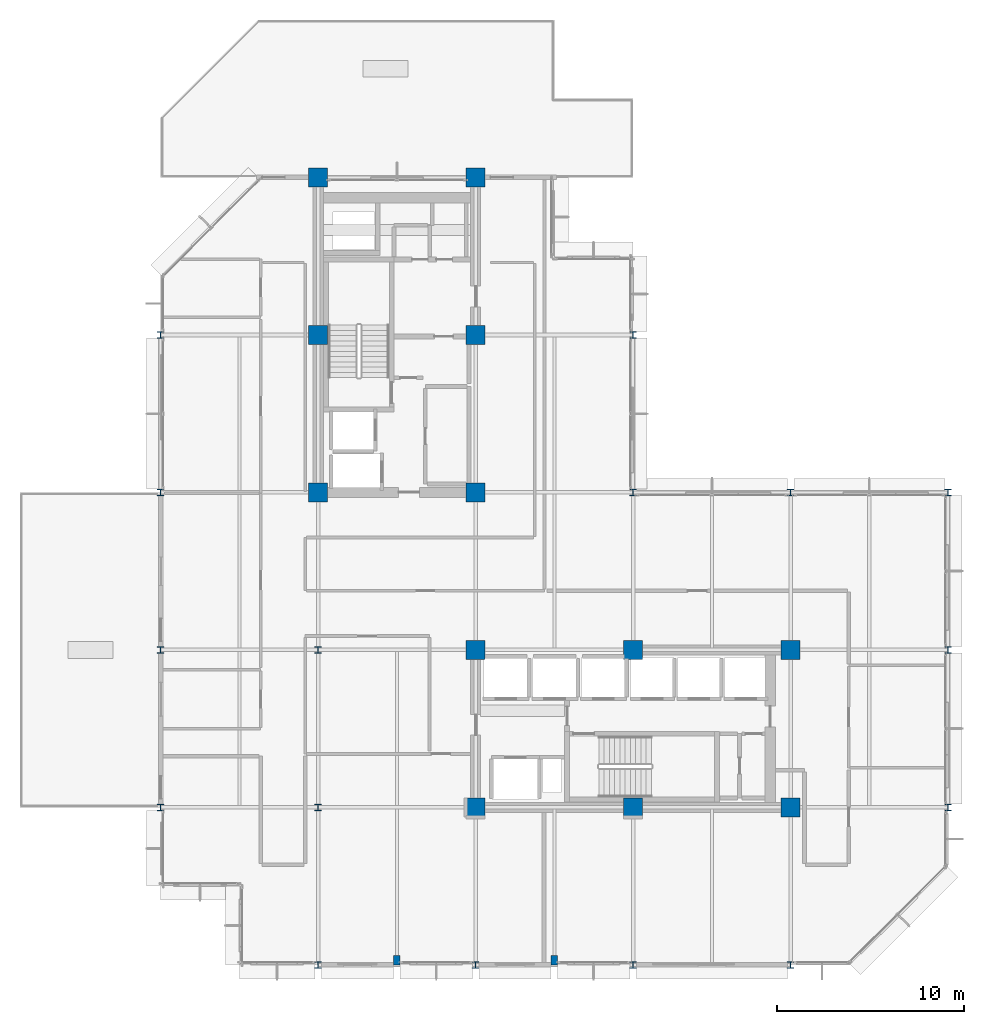
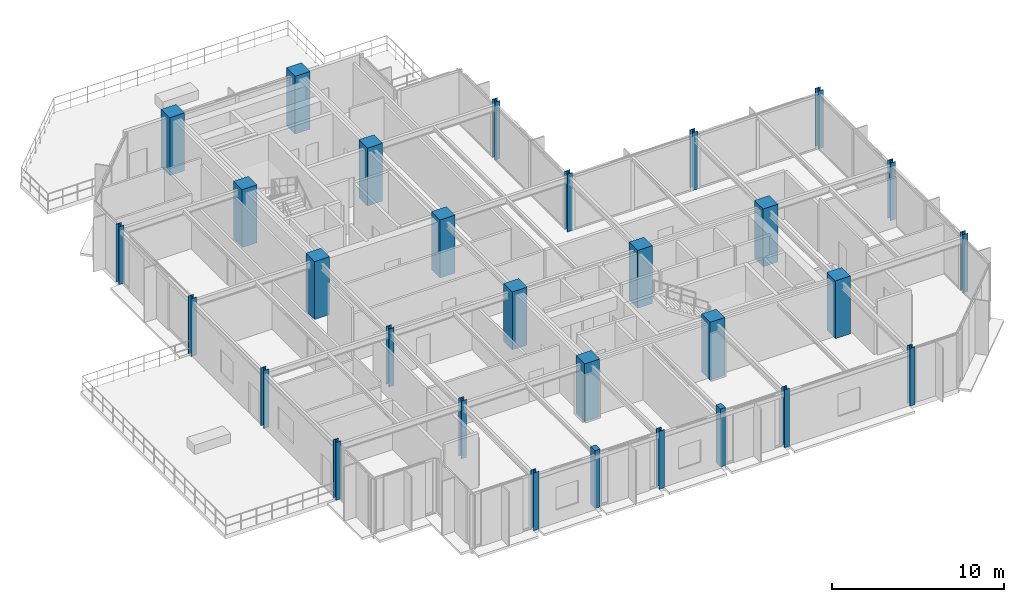
# One storey, part 1 of 21: 30 columns.
"""IFC4 building model written with IfcOpenShell, lengths in metres."""

from ifc_helpers import new_model, si_unit, direction, frame, origin, origin_2d, place, context, subcontext, project, spatial, rectangle, i_section, extrude, material, material_profile, profile_set, type_object, element, save


model = new_model("IFC4")

# Units and contexts
model_context = context("Model", 3, precision=1e-05, world=origin(), true_north=direction((0.0, 1.0)))
body_context = subcontext(model_context, "Body", "Model", "MODEL_VIEW")
ifc_project = project(units=[si_unit("LENGTHUNIT", "METRE"), si_unit("AREAUNIT", "SQUARE_METRE"), si_unit("VOLUMEUNIT", "CUBIC_METRE"), si_unit("PLANEANGLEUNIT", "RADIAN"), si_unit("MASSUNIT", "GRAM", prefix="KILO")], contexts=[model_context])

# Site, building, storey
site_placement = place(None, origin())
site = spatial("IfcSite", under=ifc_project, at=site_placement, CompositionType="ELEMENT")
building_placement = place(site_placement, origin())
building = spatial("IfcBuilding", under=site, at=building_placement, Name="Nerrivon Quay Data Exchange", CompositionType="ELEMENT")
storey_placement = place(building_placement, frame((0.0, 0.0, 220.60009765625)))
storey = spatial("IfcBuildingStorey", under=building, at=storey_placement, Name="L52", CompositionType="ELEMENT", Elevation=220.60009765625)

# Columns
ifc_material_1 = material(Name="Concrete S65 (65 MPa)", Category="concrete")
ifc_material_profile_1 = material_profile(ifc_material_1, rectangle(XDim=1.0, YDim=1.0, at=origin_2d()), Name="RC-COL-1000x1000")
ifc_profile_set_1 = profile_set([ifc_material_profile_1], Name="Concrete S65 (65 MPa)")
column_type_1 = type_object("IfcColumnType", Name="COL-C4-1000", PredefinedType="COLUMN", material=ifc_profile_set_1)
for number, where, z_axis, x_axis, name in (
    (1, (8.39990234375, 25.199951171875, 0.0), (0.0, 0.0, 1.0), (1.0, 0.0, 0.0), "L52 Column (8.4,25.2)"),
    (2, (8.39990234375, 33.60009765625, 0.0), (0.0, 0.0, 1.0), (1.0, 0.0, 0.0), "L52 Column (8.4,33.6)"),
    (3, (8.39990234375, 42.0, 0.0), (0.0, 0.0, 1.0), (1.0, 0.0, 0.0), "L52 Column (8.4,42.0)"),
    (4, (16.800048828125, 8.39990234375, 0.0), (0.0, 0.0, 1.0), (1.0, 0.0, 0.0), "L52 Column (16.8,8.4)"),
    (5, (16.800048828125, 16.800048828125, 0.0), (0.0, 0.0, 1.0), (1.0, 0.0, 0.0), "L52 Column (16.8,16.8)"),
    (6, (16.800048828125, 25.199951171875, 0.0), (0.0, 0.0, 1.0), (1.0, 0.0, 0.0), "L52 Column (16.8,25.2)"),
    (7, (16.800048828125, 33.60009765625, 0.0), (0.0, 0.0, 1.0), (1.0, 0.0, 0.0), "L52 Column (16.8,33.6)"),
    (8, (16.800048828125, 42.0, 0.0), (0.0, 0.0, 1.0), (1.0, 0.0, 0.0), "L52 Column (16.8,42.0)"),
    (9, (25.199951171875, 8.39990234375, 0.0), (0.0, 0.0, 1.0), (1.0, 0.0, 0.0), "L52 Column (25.2,8.4)"),
    (10, (25.199951171875, 16.800048828125, 0.0), (0.0, 0.0, 1.0), (1.0, 0.0, 0.0), "L52 Column (25.2,16.8)"),
    (11, (33.60009765625, 8.39990234375, 0.0), (0.0, 0.0, 1.0), (1.0, 0.0, 0.0), "L52 Column (33.6,8.4)"),
    (12, (33.60009765625, 16.800048828125, 0.0), (0.0, 0.0, 1.0), (1.0, 0.0, 0.0), "L52 Column (33.6,16.8)"),
):
    element("IfcColumn", number, at=place(storey_placement, frame(where, z_axis=z_axis, x_axis=x_axis)), inside=storey, type_object=column_type_1, Name=name, PredefinedType="COLUMN", context=body_context, shape_type="SweptSolid", body=[
        extrude(rectangle(XDim=1.0, YDim=1.0, at=origin_2d()), origin(), (0.0, 0.0, 1.0), 4.099853515625),
    ])
ifc_material_2 = material(Name="Steel Grade 350", Category="steel")
ifc_material_profile_2 = material_profile(ifc_material_2, i_section(OverallWidth=0.35009765625, OverallDepth=0.35009765625, WebThickness=0.02001953125, FlangeThickness=0.031982421875, at=origin_2d()), Name="350WC230")
ifc_profile_set_2 = profile_set([ifc_material_profile_2], Name="Steel Grade 350")
column_type_2 = type_object("IfcColumnType", Name="COL-SC3-350WC", PredefinedType="COLUMN", material=ifc_profile_set_2)
for number, where, z_axis, x_axis, name in (
    (13, (0.0, 8.39990234375, 0.0), (0.0, 0.0, 1.0), (1.0, 0.0, 0.0), "L52 Column (0.0,8.4)"),
    (14, (0.0, 16.800048828125, 0.0), (0.0, 0.0, 1.0), (1.0, 0.0, 0.0), "L52 Column (0.0,16.8)"),
    (15, (0.0, 25.199951171875, 0.0), (0.0, 0.0, 1.0), (1.0, 0.0, 0.0), "L52 Column (0.0,25.2)"),
    (16, (0.0, 33.60009765625, 0.0), (0.0, 0.0, 1.0), (1.0, 0.0, 0.0), "L52 Column (0.0,33.6)"),
    (17, (8.39990234375, 0.0, 0.0), (0.0, 0.0, 1.0), (1.0, 0.0, 0.0), "L52 Column (8.4,0.0)"),
    (18, (8.39990234375, 8.39990234375, 0.0), (0.0, 0.0, 1.0), (1.0, 0.0, 0.0), "L52 Column (8.4,8.4)"),
    (19, (8.39990234375, 16.800048828125, 0.0), (0.0, 0.0, 1.0), (1.0, 0.0, 0.0), "L52 Column (8.4,16.8)"),
    (20, (16.800048828125, 0.0, 0.0), (0.0, 0.0, 1.0), (1.0, 0.0, 0.0), "L52 Column (16.8,0.0)"),
    (21, (25.199951171875, 0.0, 0.0), (0.0, 0.0, 1.0), (1.0, 0.0, 0.0), "L52 Column (25.2,0.0)"),
    (22, (25.199951171875, 25.199951171875, 0.0), (0.0, 0.0, 1.0), (1.0, 0.0, 0.0), "L52 Column (25.2,25.2)"),
    (23, (25.199951171875, 33.60009765625, 0.0), (0.0, 0.0, 1.0), (1.0, 0.0, 0.0), "L52 Column (25.2,33.6)"),
    (24, (33.60009765625, 0.0, 0.0), (0.0, 0.0, 1.0), (1.0, 0.0, 0.0), "L52 Column (33.6,0.0)"),
    (25, (33.60009765625, 25.199951171875, 0.0), (0.0, 0.0, 1.0), (1.0, 0.0, 0.0), "L52 Column (33.6,25.2)"),
    (26, (42.0, 8.39990234375, 0.0), (0.0, 0.0, 1.0), (1.0, 0.0, 0.0), "L52 Column (42.0,8.4)"),
    (27, (42.0, 16.800048828125, 0.0), (0.0, 0.0, 1.0), (1.0, 0.0, 0.0), "L52 Column (42.0,16.8)"),
    (28, (42.0, 25.199951171875, 0.0), (0.0, 0.0, 1.0), (1.0, 0.0, 0.0), "L52 Column (42.0,25.2)"),
):
    element("IfcColumn", number, at=place(storey_placement, frame(where, z_axis=z_axis, x_axis=x_axis)), inside=storey, type_object=column_type_2, Name=name, PredefinedType="COLUMN", context=body_context, shape_type="SweptSolid", body=[
        extrude(i_section(OverallWidth=0.35009765625, OverallDepth=0.35009765625, WebThickness=0.02001953125, FlangeThickness=0.031982421875, at=origin_2d()), origin(), (0.0, 0.0, 1.0), 4.099853515625),
    ])
ifc_material_3 = material(Name="Concrete N50 (50 MPa)", Category="concrete")
ifc_material_profile_3 = material_profile(ifc_material_3, rectangle(XDim=0.35009765625, YDim=0.5, at=origin_2d()), Name="RC-PIL-500x350")
ifc_profile_set_3 = profile_set([ifc_material_profile_3], Name="Concrete N50 (50 MPa)")
column_type_3 = type_object("IfcColumnType", Name="PIL-P2-500x350", PredefinedType="PILASTER", material=ifc_profile_set_3)
for number, where, z_axis, x_axis, name in (
    (29, (12.60009765625, 0.25, 0.0), (0.0, 0.0, 1.0), (1.0, 0.0, 0.0), "L52 Facade Pilaster (12.6)"),
    (30, (21.0, 0.25, 0.0), (0.0, 0.0, 1.0), (1.0, 0.0, 0.0), "L52 Facade Pilaster (21.0)"),
):
    element("IfcColumn", number, at=place(storey_placement, frame(where, z_axis=z_axis, x_axis=x_axis)), inside=storey, type_object=column_type_3, Name=name, PredefinedType="PILASTER", context=body_context, shape_type="SweptSolid", body=[
        extrude(rectangle(XDim=0.35009765625, YDim=0.5, at=origin_2d()), origin(), (0.0, 0.0, 1.0), 4.099853515625),
    ])

save(model, "model.ifc")
